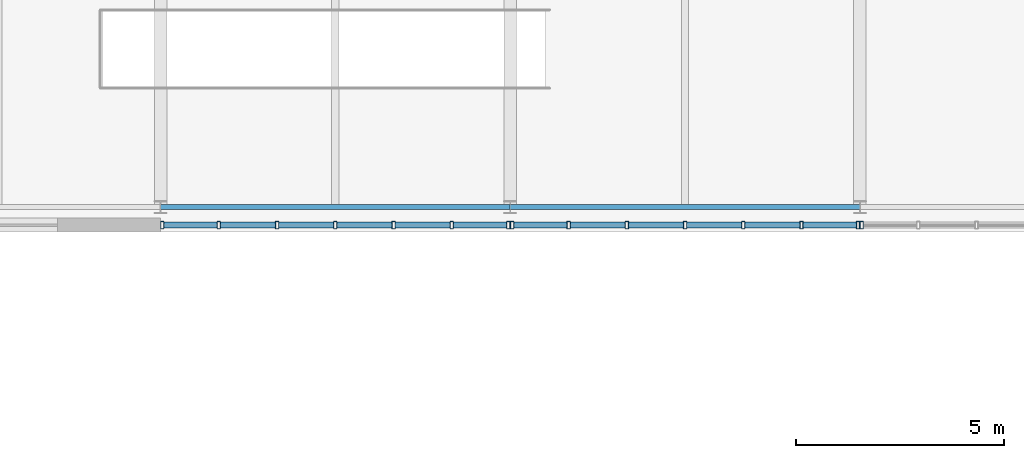
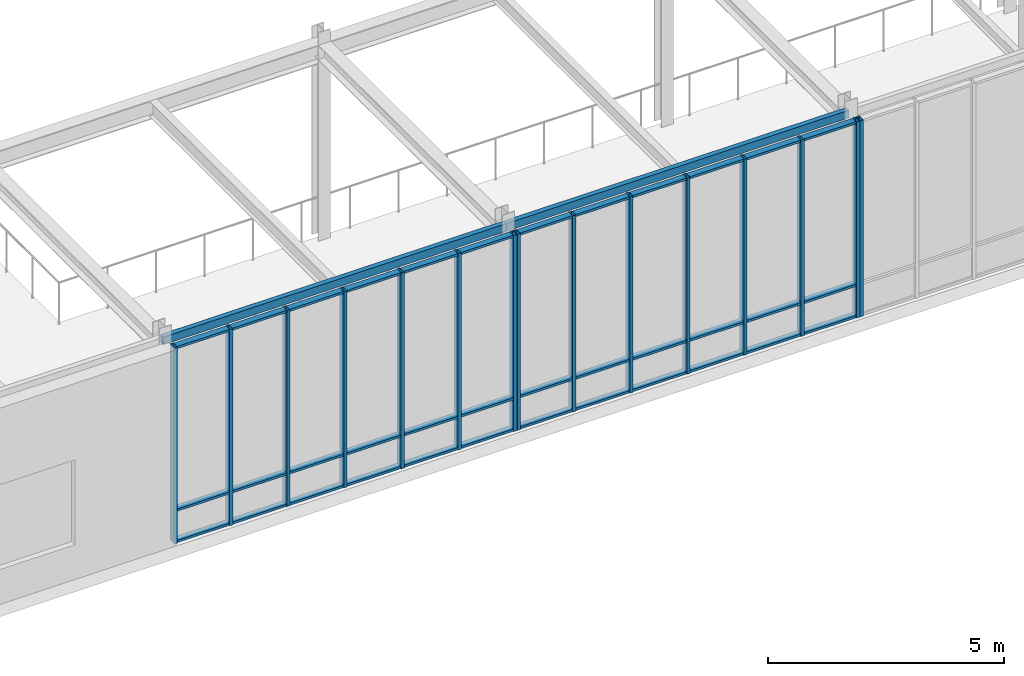
# One storey, part 83 of 139: 51 members, 2 beams, 3 elements without a shape of their own.
"""IFC4 building model written with IfcOpenShell, lengths in metres."""

import ifcopenshell
import ifcopenshell.guid

model = None  # the IFC model being written
_history = None  # IfcOwnerHistory: only IFC2X3 demands one
_inside = {}  # id of a spatial element -> (the spatial element, [elements in it])
_under = {}  # id of a project, library or spatial element -> (it, [spatial elements below it])
_declared = {}  # id of a project -> (the project, [libraries it declares])
_typed = {}  # id of a type object -> (the type object, [elements of that type])
_made_of = {}  # id of a material, layer set ... -> (it, [elements and type objects made of it])


def new_model(schema):
    """Start an empty IFC model of exactly this schema.

    Asked for "IFC4X3", IfcOpenShell would pick the latest addendum, in which some entities
    have other attributes; the version numbers below select the first issue.
    IFC2X3 requires an IfcOwnerHistory on every rooted entity: one is made here for all.
    """
    global model, _history
    if schema == "IFC4X3":
        model = ifcopenshell.file(schema_version=(4, 3, 0, 0))
    else:
        model = ifcopenshell.file(schema=schema)
    _inside.clear()
    _under.clear()
    _declared.clear()
    _typed.clear()
    _made_of.clear()
    _history = None
    if model.schema == "IFC2X3":
        org = make("IfcOrganization", Name="unknown")
        user = make(
            "IfcPersonAndOrganization",
            ThePerson=make("IfcPerson", FamilyName="unknown"),
            TheOrganization=org,
        )
        app = make(
            "IfcApplication",
            ApplicationDeveloper=org,
            Version="unknown",
            ApplicationFullName="unknown",
            ApplicationIdentifier="unknown",
        )
        _history = make(
            "IfcOwnerHistory",
            OwningUser=user,
            OwningApplication=app,
            ChangeAction="ADDED",
            CreationDate=0,
        )
    return model


def make(cls, **values):
    """One entity of the class cls with the attributes given. An attribute that is None is left unset."""
    return model.create_entity(
        cls, **{name: value for name, value in values.items() if value is not None}
    )


def rooted(cls, **values):
    """An entity with a GlobalId (a new one), such as an element, a storey or a relation."""
    return make(cls, GlobalId=ifcopenshell.guid.new(), OwnerHistory=_history, **values)


def si_unit(unit_type, name, prefix=None):
    """IfcSIUnit, for example si_unit("LENGTHUNIT", "METRE", prefix="MILLI")."""
    return make("IfcSIUnit", UnitType=unit_type, Prefix=prefix, Name=name)


def assignment(units):
    """IfcUnitAssignment: the units of a project."""
    return None if units is None else make("IfcUnitAssignment", Units=units)


def point(xyz):
    """IfcCartesianPoint."""
    return None if xyz is None else make("IfcCartesianPoint", Coordinates=xyz)


def direction(xyz):
    """IfcDirection."""
    return None if xyz is None else make("IfcDirection", DirectionRatios=xyz)


def frame(location, z_axis=None, x_axis=None):
    """IfcAxis2Placement3D, a coordinate frame: its origin and axes. An axis left out is left unset."""
    return make(
        "IfcAxis2Placement3D",
        Location=point(location),
        Axis=direction(z_axis),
        RefDirection=direction(x_axis),
    )


def frame_2d(location, x_axis=None):
    """IfcAxis2Placement2D, a coordinate frame in the plane: its origin and x axis."""
    return make(
        "IfcAxis2Placement2D", Location=point(location), RefDirection=direction(x_axis)
    )


def origin():
    """The frame at (0, 0, 0) with its axes left unset."""
    return frame((0.0, 0.0, 0.0))


def origin_2d():
    """The frame at (0, 0) in the plane with its x axis left unset."""
    return frame_2d((0.0, 0.0))


def place(relative_to, where):
    """IfcLocalPlacement: puts the frame where relative to a parent placement (None: the world)."""
    return make(
        "IfcLocalPlacement", PlacementRelTo=relative_to, RelativePlacement=where
    )


def context(
    kind, dimensions, precision=None, world=None, true_north=None, identifier=None
):
    """IfcGeometricRepresentationContext, for example the 3D "Model" context."""
    return make(
        "IfcGeometricRepresentationContext",
        ContextIdentifier=identifier,
        ContextType=kind,
        CoordinateSpaceDimension=dimensions,
        Precision=precision,
        WorldCoordinateSystem=world,
        TrueNorth=true_north,
    )


def subcontext(parent, identifier, kind, view, scale=None):
    """IfcGeometricRepresentationSubContext, for example "Body" below "Model"."""
    return make(
        "IfcGeometricRepresentationSubContext",
        ContextIdentifier=identifier,
        ContextType=kind,
        ParentContext=parent,
        TargetScale=scale,
        TargetView=view,
    )


def project(units=None, contexts=None):
    """IfcProject with its units and contexts."""
    return rooted(
        "IfcProject",
        Name="project",
        RepresentationContexts=contexts,
        UnitsInContext=assignment(units),
    )


def spatial(cls, under=None, at=None, **own):
    """A site, building, storey or space (cls), placed at a placement, below another one or the project."""
    s = rooted(cls, ObjectPlacement=at, **own)
    if under is not None:
        _under.setdefault(under.id(), (under, []))[1].append(s)
    return s


def profile(cls, at=None, kind="AREA", **sizes):
    """A parametric profile (cls). Its sizes go by their IFC names, for example OverallWidth=200.0."""
    return make(cls, ProfileType=kind, Position=at, **sizes)


def hollow_rectangle(**sizes):
    """IfcRectangleHollowProfileDef."""
    return profile("IfcRectangleHollowProfileDef", **sizes)


def extrude(swept, where, along, depth):
    """IfcExtrudedAreaSolid: the profile swept, set in the frame where, extruded along a direction by depth."""
    return make(
        "IfcExtrudedAreaSolid",
        SweptArea=swept,
        Position=where,
        ExtrudedDirection=direction(along),
        Depth=depth,
    )


def shape(context_of_items, identifier, shape_type, items):
    """IfcShapeRepresentation: the items that make up one representation, for example the "Body"."""
    return make(
        "IfcShapeRepresentation",
        ContextOfItems=context_of_items,
        RepresentationIdentifier=identifier,
        RepresentationType=shape_type,
        Items=items,
    )


def material(Name=None, Category=None):
    """IfcMaterial."""
    return make("IfcMaterial", Name=Name, Category=Category)


def layer(
    of_material, thickness, ventilated=None, Name=None, Category=None, Priority=None
):
    """IfcMaterialLayer: one layer of a wall or slab, of a material (None: an air gap)."""
    return make(
        "IfcMaterialLayer",
        Material=of_material,
        LayerThickness=thickness,
        IsVentilated=ventilated,
        Name=Name,
        Category=Category,
        Priority=Priority,
    )


def layer_set(layers, Name=None):
    """IfcMaterialLayerSet."""
    return make("IfcMaterialLayerSet", MaterialLayers=layers, LayerSetName=Name)


def material_profile(
    of_material, cross_section, Name=None, Category=None, Priority=None
):
    """IfcMaterialProfile: a cross section and its material."""
    return make(
        "IfcMaterialProfile",
        Name=Name,
        Material=of_material,
        Profile=cross_section,
        Priority=Priority,
        Category=Category,
    )


def profile_set(profiles, Name=None, composite=None):
    """IfcMaterialProfileSet."""
    return make(
        "IfcMaterialProfileSet",
        Name=Name,
        MaterialProfiles=profiles,
        CompositeProfile=composite,
    )


def made_of(thing, what):
    """Note that an element or type object is made of a material, layer set ...; save() writes the relation."""
    if what is not None:
        _made_of.setdefault(what.id(), (what, []))[1].append(thing)
    return thing


def type_object(cls, material=None, **own):
    """A type object (cls), such as IfcWallType, which elements share."""
    return made_of(rooted(cls, **own), material)


def element(
    cls,
    number,
    at=None,
    inside=None,
    cuts=None,
    type_object=None,
    material=None,
    context=None,
    identifier="Body",
    shape_type=None,
    held_by="IfcProductDefinitionShape",
    body=None,
    shapes=None,
    **own,
):
    """One element of the class cls, such as IfcWall. Its Tag is "e" and its number.

    at: its placement. inside: the storey or other place that contains it. cuts: it is an
    opening in that element (IfcRelVoidsElement). A single representation is given by context,
    identifier, shape_type and body (its items); several are given by shapes. held_by: the class
    of the entity that holds the representations. save() writes the other relations.
    """
    e = rooted(cls, Tag="e%d" % number, ObjectPlacement=at, **own)
    if body is not None:
        shapes = [shape(context, identifier, shape_type, body)]
    if shapes is not None:
        e.Representation = make(held_by, Representations=shapes)
    if inside is not None:
        _inside.setdefault(inside.id(), (inside, []))[1].append(e)
    if cuts is not None:
        rooted(
            "IfcRelVoidsElement", RelatingBuildingElement=cuts, RelatedOpeningElement=e
        )
    if type_object is not None:
        _typed.setdefault(type_object.id(), (type_object, []))[1].append(e)
    return made_of(e, material)


def aggregate(whole, parts):
    """IfcRelAggregates: a whole, such as a stair, and the parts it consists of."""
    return rooted("IfcRelAggregates", RelatingObject=whole, RelatedObjects=parts)


def save(model, path):
    """Write the relations noted so far, then the file.

    IfcRelAggregates (storeys below a building ...), IfcRelContainedInSpatialStructure (elements
    in a storey), IfcRelDefinesByType, IfcRelAssociatesMaterial and IfcRelDeclares: one each for
    every whole, place, type object, material and project.
    """
    for whole, parts in _under.values():
        aggregate(whole, parts)
    for where, things in _inside.values():
        rooted(
            "IfcRelContainedInSpatialStructure",
            RelatedElements=things,
            RelatingStructure=where,
        )
    for kind, things in _typed.values():
        rooted("IfcRelDefinesByType", RelatedObjects=things, RelatingType=kind)
    for what, things in _made_of.values():
        rooted("IfcRelAssociatesMaterial", RelatedObjects=things, RelatingMaterial=what)
    for by, libraries in _declared.values():
        rooted("IfcRelDeclares", RelatingContext=by, RelatedDefinitions=libraries)
    model.write(path)


model = new_model("IFC4")

# Units and contexts
model_context = context("Model", 3, precision=1e-05, world=origin(), true_north=direction((0.0, 1.0)))
body_context = subcontext(model_context, "Body", "Model", "MODEL_VIEW")
ifc_project = project(units=[si_unit("LENGTHUNIT", "METRE"), si_unit("AREAUNIT", "SQUARE_METRE"), si_unit("VOLUMEUNIT", "CUBIC_METRE"), si_unit("PLANEANGLEUNIT", "RADIAN"), si_unit("MASSUNIT", "GRAM", prefix="KILO")], contexts=[model_context])

# Site, building, storey
site_placement = place(None, origin())
site = spatial("IfcSite", under=ifc_project, at=site_placement, CompositionType="ELEMENT")
building_placement = place(site_placement, origin())
building = spatial("IfcBuilding", under=site, at=building_placement, Name="Zayran Congress Hotel", CompositionType="ELEMENT")
storey_placement = place(building_placement, frame((0.0, 0.0, 5.39990234375)))
storey = spatial("IfcBuildingStorey", under=building, at=storey_placement, Name="L01", CompositionType="ELEMENT", Elevation=5.39990234375)

# Beams
ifc_material_1 = material(Name="Steel S355", Category="steel")
ifc_material_profile_1 = material_profile(ifc_material_1, hollow_rectangle(XDim=0.1201171875, YDim=0.199951171875, WallThickness=0.008056640625, at=origin_2d()), Name="RHS 200x120x8")
ifc_profile_set_1 = profile_set([ifc_material_profile_1], Name="Steel S355")
beam_type = type_object("IfcBeamType", Name="TP-SP-02", PredefinedType="SPANDREL", material=ifc_profile_set_1)
beam_1_placement = place(storey_placement, frame((151.199951171875, 85.0, 4.97998046875), z_axis=(1.0, 0.0, 0.0), x_axis=(0.0, 1.0, 0.0)))
element("IfcBeam", 1, at=beam_1_placement, inside=storey, type_object=beam_type, Name="BM-V2-L01-0954", PredefinedType="SPANDREL", context=body_context, shape_type="SweptSolid", body=[
    extrude(hollow_rectangle(XDim=0.1201171875, YDim=0.199951171875, WallThickness=0.008056640625, at=origin_2d()), origin(), (0.0, 0.0, 1.0), 8.400146484375),
])
beam_2_placement = place(storey_placement, frame((159.60009765625, 85.0, 4.97998046875), z_axis=(1.0, 0.0, 0.0), x_axis=(0.0, 1.0, 0.0)))
element("IfcBeam", 2, at=beam_2_placement, inside=storey, type_object=beam_type, Name="BM-V2-L01-0955", PredefinedType="SPANDREL", context=body_context, shape_type="SweptSolid", body=[
    extrude(hollow_rectangle(XDim=0.1201171875, YDim=0.199951171875, WallThickness=0.008056640625, at=origin_2d()), origin(), (0.0, 0.0, 1.0), 8.39990234375),
])

# Curtain wall, members
ifc_material_2 = material(Name="Anodised aluminium and low-E insulated glass", Category="aluminium")
ifc_layer_1 = layer(ifc_material_2, 0.179931640625)
ifc_layer_set_1 = layer_set([ifc_layer_1], Name="Anodised aluminium and low-E insulated glass")
curtain_wall_type_1 = type_object("IfcCurtainWallType", Name="CW-V2S-L01-CW-V22-8395-5080", PredefinedType="USERDEFINED", material=ifc_layer_set_1)
curtain_wall_1_placement = place(storey_placement, origin())
curtain_wall_1 = element("IfcCurtainWall", 3, at=curtain_wall_1_placement, inside=storey, type_object=curtain_wall_type_1, Name="CW-V2S-L01-1", ObjectType="CURTAIN WALL", PredefinedType="USERDEFINED")
ifc_material_3 = material(Name="Anodised aluminium framing", Category="aluminium")
ifc_material_profile_2 = material_profile(ifc_material_3, hollow_rectangle(XDim=0.080078125, YDim=0.179931640625, WallThickness=0.0048828125, at=origin_2d()), Name="RHS 180x80x5")
ifc_profile_set_2 = profile_set([ifc_material_profile_2], Name="Anodised aluminium framing")
member_type_1 = type_object("IfcMemberType", Name="TP-CWM-01", PredefinedType="MULLION", material=ifc_profile_set_2)
member_1_placement = place(storey_placement, frame((151.239990234375, 84.570068359375, 0.0), z_axis=(0.0, 0.0, 1.0), x_axis=(1.0, 0.0, 0.0)))
member_1 = element("IfcMember", 4, at=member_1_placement, type_object=member_type_1, Name="CW-V2S-L01-1-M00", PredefinedType="MULLION", context=body_context, shape_type="SweptSolid", body=[
    extrude(hollow_rectangle(XDim=0.080078125, YDim=0.179931640625, WallThickness=0.0048828125, at=origin_2d()), origin(), (0.0, 0.0, 1.0), 5.080078125),
])
member_2_placement = place(storey_placement, frame((152.59912109375, 84.570068359375, 0.0), z_axis=(0.0, 0.0, 1.0), x_axis=(1.0, 0.0, 0.0)))
member_2 = element("IfcMember", 5, at=member_2_placement, type_object=member_type_1, Name="CW-V2S-L01-1-M01", PredefinedType="MULLION", context=body_context, shape_type="SweptSolid", body=[
    extrude(hollow_rectangle(XDim=0.080078125, YDim=0.179931640625, WallThickness=0.0048828125, at=origin_2d()), origin(), (0.0, 0.0, 1.0), 5.080078125),
])
member_3_placement = place(storey_placement, frame((153.998291015625, 84.570068359375, 0.0), z_axis=(0.0, 0.0, 1.0), x_axis=(1.0, 0.0, 0.0)))
member_3 = element("IfcMember", 6, at=member_3_placement, type_object=member_type_1, Name="CW-V2S-L01-1-M02", PredefinedType="MULLION", context=body_context, shape_type="SweptSolid", body=[
    extrude(hollow_rectangle(XDim=0.080078125, YDim=0.179931640625, WallThickness=0.0048828125, at=origin_2d()), origin(), (0.0, 0.0, 1.0), 5.080078125),
])
member_4_placement = place(storey_placement, frame((155.3974609375, 84.570068359375, 0.0), z_axis=(0.0, 0.0, 1.0), x_axis=(1.0, 0.0, 0.0)))
member_4 = element("IfcMember", 7, at=member_4_placement, type_object=member_type_1, Name="CW-V2S-L01-1-M03", PredefinedType="MULLION", context=body_context, shape_type="SweptSolid", body=[
    extrude(hollow_rectangle(XDim=0.080078125, YDim=0.179931640625, WallThickness=0.0048828125, at=origin_2d()), origin(), (0.0, 0.0, 1.0), 5.080078125),
])
member_5_placement = place(storey_placement, frame((156.796630859375, 84.570068359375, 0.0), z_axis=(0.0, 0.0, 1.0), x_axis=(1.0, 0.0, 0.0)))
member_5 = element("IfcMember", 8, at=member_5_placement, type_object=member_type_1, Name="CW-V2S-L01-1-M04", PredefinedType="MULLION", context=body_context, shape_type="SweptSolid", body=[
    extrude(hollow_rectangle(XDim=0.080078125, YDim=0.179931640625, WallThickness=0.0048828125, at=origin_2d()), origin(), (0.0, 0.0, 1.0), 5.080078125),
])
member_6_placement = place(storey_placement, frame((158.19580078125, 84.570068359375, 0.0), z_axis=(0.0, 0.0, 1.0), x_axis=(1.0, 0.0, 0.0)))
member_6 = element("IfcMember", 9, at=member_6_placement, type_object=member_type_1, Name="CW-V2S-L01-1-M05", PredefinedType="MULLION", context=body_context, shape_type="SweptSolid", body=[
    extrude(hollow_rectangle(XDim=0.080078125, YDim=0.179931640625, WallThickness=0.0048828125, at=origin_2d()), origin(), (0.0, 0.0, 1.0), 5.080078125),
])
member_7_placement = place(storey_placement, frame((159.554931640625, 84.570068359375, 0.0), z_axis=(0.0, 0.0, 1.0), x_axis=(1.0, 0.0, 0.0)))
member_7 = element("IfcMember", 10, at=member_7_placement, type_object=member_type_1, Name="CW-V2S-L01-1-M06", PredefinedType="MULLION", context=body_context, shape_type="SweptSolid", body=[
    extrude(hollow_rectangle(XDim=0.080078125, YDim=0.179931640625, WallThickness=0.0048828125, at=origin_2d()), origin(), (0.0, 0.0, 1.0), 5.080078125),
])

ifc_layer_2 = layer(ifc_material_2, 0.179931640625)
ifc_layer_set_2 = layer_set([ifc_layer_2], Name="Anodised aluminium and low-E insulated glass")
curtain_wall_type_2 = type_object("IfcCurtainWallType", Name="CW-V2S-L01-CW-V21-8390-5080", PredefinedType="USERDEFINED", material=ifc_layer_set_2)
curtain_wall_2_placement = place(storey_placement, origin())
curtain_wall_2 = element("IfcCurtainWall", 11, at=curtain_wall_2_placement, inside=storey, type_object=curtain_wall_type_2, Name="CW-V2S-L01-2", ObjectType="CURTAIN WALL", PredefinedType="USERDEFINED")
member_8_placement = place(storey_placement, frame((159.64501953125, 84.570068359375, 0.0), z_axis=(0.0, 0.0, 1.0), x_axis=(1.0, 0.0, 0.0)))
member_8 = element("IfcMember", 12, at=member_8_placement, type_object=member_type_1, Name="CW-V2S-L01-2-M00", PredefinedType="MULLION", context=body_context, shape_type="SweptSolid", body=[
    extrude(hollow_rectangle(XDim=0.080078125, YDim=0.179931640625, WallThickness=0.0048828125, at=origin_2d()), origin(), (0.0, 0.0, 1.0), 5.080078125),
])
member_9_placement = place(storey_placement, frame((161.00341796875, 84.570068359375, 0.0), z_axis=(0.0, 0.0, 1.0), x_axis=(1.0, 0.0, 0.0)))
member_9 = element("IfcMember", 13, at=member_9_placement, type_object=member_type_1, Name="CW-V2S-L01-2-M01", PredefinedType="MULLION", context=body_context, shape_type="SweptSolid", body=[
    extrude(hollow_rectangle(XDim=0.080078125, YDim=0.179931640625, WallThickness=0.0048828125, at=origin_2d()), origin(), (0.0, 0.0, 1.0), 5.080078125),
])
member_10_placement = place(storey_placement, frame((162.401611328125, 84.570068359375, 0.0), z_axis=(0.0, 0.0, 1.0), x_axis=(1.0, 0.0, 0.0)))
member_10 = element("IfcMember", 14, at=member_10_placement, type_object=member_type_1, Name="CW-V2S-L01-2-M02", PredefinedType="MULLION", context=body_context, shape_type="SweptSolid", body=[
    extrude(hollow_rectangle(XDim=0.080078125, YDim=0.179931640625, WallThickness=0.0048828125, at=origin_2d()), origin(), (0.0, 0.0, 1.0), 5.080078125),
])
member_11_placement = place(storey_placement, frame((163.800048828125, 84.570068359375, 0.0), z_axis=(0.0, 0.0, 1.0), x_axis=(1.0, 0.0, 0.0)))
member_11 = element("IfcMember", 15, at=member_11_placement, type_object=member_type_1, Name="CW-V2S-L01-2-M03", PredefinedType="MULLION", context=body_context, shape_type="SweptSolid", body=[
    extrude(hollow_rectangle(XDim=0.080078125, YDim=0.179931640625, WallThickness=0.0048828125, at=origin_2d()), origin(), (0.0, 0.0, 1.0), 5.080078125),
])
member_12_placement = place(storey_placement, frame((165.1982421875, 84.570068359375, 0.0), z_axis=(0.0, 0.0, 1.0), x_axis=(1.0, 0.0, 0.0)))
member_12 = element("IfcMember", 16, at=member_12_placement, type_object=member_type_1, Name="CW-V2S-L01-2-M04", PredefinedType="MULLION", context=body_context, shape_type="SweptSolid", body=[
    extrude(hollow_rectangle(XDim=0.080078125, YDim=0.179931640625, WallThickness=0.0048828125, at=origin_2d()), origin(), (0.0, 0.0, 1.0), 5.080078125),
])
member_13_placement = place(storey_placement, frame((166.5966796875, 84.570068359375, 0.0), z_axis=(0.0, 0.0, 1.0), x_axis=(1.0, 0.0, 0.0)))
member_13 = element("IfcMember", 17, at=member_13_placement, type_object=member_type_1, Name="CW-V2S-L01-2-M05", PredefinedType="MULLION", context=body_context, shape_type="SweptSolid", body=[
    extrude(hollow_rectangle(XDim=0.080078125, YDim=0.179931640625, WallThickness=0.0048828125, at=origin_2d()), origin(), (0.0, 0.0, 1.0), 5.080078125),
])
member_14_placement = place(storey_placement, frame((167.955078125, 84.570068359375, 0.0), z_axis=(0.0, 0.0, 1.0), x_axis=(1.0, 0.0, 0.0)))
member_14 = element("IfcMember", 18, at=member_14_placement, type_object=member_type_1, Name="CW-V2S-L01-2-M06", PredefinedType="MULLION", context=body_context, shape_type="SweptSolid", body=[
    extrude(hollow_rectangle(XDim=0.080078125, YDim=0.179931640625, WallThickness=0.0048828125, at=origin_2d()), origin(), (0.0, 0.0, 1.0), 5.080078125),
])

# Curtain wall, member
ifc_layer_3 = layer(ifc_material_2, 0.179931640625)
ifc_layer_set_3 = layer_set([ifc_layer_3], Name="Anodised aluminium and low-E insulated glass")
curtain_wall_type_3 = type_object("IfcCurtainWallType", Name="CW-V2S-L01-CW-V22-8390-5080", PredefinedType="USERDEFINED", material=ifc_layer_set_3)
curtain_wall_3_placement = place(storey_placement, origin())
curtain_wall_3 = element("IfcCurtainWall", 19, at=curtain_wall_3_placement, inside=storey, type_object=curtain_wall_type_3, Name="CW-V2S-L01-3", ObjectType="CURTAIN WALL", PredefinedType="USERDEFINED")
member_15_placement = place(storey_placement, frame((168.044921875, 84.570068359375, 0.0), z_axis=(0.0, 0.0, 1.0), x_axis=(1.0, 0.0, 0.0)))
member_15 = element("IfcMember", 20, at=member_15_placement, type_object=member_type_1, Name="CW-V2S-L01-3-M00", PredefinedType="MULLION", context=body_context, shape_type="SweptSolid", body=[
    extrude(hollow_rectangle(XDim=0.080078125, YDim=0.179931640625, WallThickness=0.0048828125, at=origin_2d()), origin(), (0.0, 0.0, 1.0), 5.080078125),
])
aggregate(curtain_wall_3, [member_15])

# Member
ifc_material_profile_3 = material_profile(ifc_material_3, hollow_rectangle(XDim=0.06005859375, YDim=0.14990234375, WallThickness=0.00390625, at=origin_2d()), Name="RHS 150x60x4")
ifc_profile_set_3 = profile_set([ifc_material_profile_3], Name="Anodised aluminium framing")
member_type_2 = type_object("IfcMemberType", Name="TP-CWT-01", PredefinedType="USERDEFINED", material=ifc_profile_set_3)
member_16_placement = place(storey_placement, frame((151.280029296875, 84.570068359375, 0.030029296875), z_axis=(1.0, 0.0, 0.0), x_axis=(0.0, 0.0, 1.0)))
member_16 = element("IfcMember", 21, at=member_16_placement, type_object=member_type_2, Name="CW-V2S-L01-1-T00-0", ObjectType="TRANSOM", PredefinedType="USERDEFINED", context=body_context, shape_type="SweptSolid", body=[
    extrude(hollow_rectangle(XDim=0.06005859375, YDim=0.14990234375, WallThickness=0.00390625, at=origin_2d()), origin(), (0.0, 0.0, 1.0), 1.279052734375),
])

member_17_placement = place(storey_placement, frame((151.280029296875, 84.570068359375, 0.840087890625), z_axis=(1.0, 0.0, 0.0), x_axis=(0.0, 0.0, 1.0)))
member_17 = element("IfcMember", 22, at=member_17_placement, type_object=member_type_2, Name="CW-V2S-L01-1-T00-1", ObjectType="TRANSOM", PredefinedType="USERDEFINED", context=body_context, shape_type="SweptSolid", body=[
    extrude(hollow_rectangle(XDim=0.06005859375, YDim=0.14990234375, WallThickness=0.00390625, at=origin_2d()), origin(), (0.0, 0.0, 1.0), 1.279052734375),
])

member_18_placement = place(storey_placement, frame((151.280029296875, 84.570068359375, 5.050048828125), z_axis=(1.0, 0.0, 0.0), x_axis=(0.0, 0.0, 1.0)))
member_18 = element("IfcMember", 23, at=member_18_placement, type_object=member_type_2, Name="CW-V2S-L01-1-T00-2", ObjectType="TRANSOM", PredefinedType="USERDEFINED", context=body_context, shape_type="SweptSolid", body=[
    extrude(hollow_rectangle(XDim=0.06005859375, YDim=0.14990234375, WallThickness=0.00390625, at=origin_2d()), origin(), (0.0, 0.0, 1.0), 1.279052734375),
])

member_19_placement = place(storey_placement, frame((152.63916015625, 84.570068359375, 0.030029296875), z_axis=(1.0, 0.0, 0.0), x_axis=(0.0, 0.0, 1.0)))
member_19 = element("IfcMember", 24, at=member_19_placement, type_object=member_type_2, Name="CW-V2S-L01-1-T01-0", ObjectType="TRANSOM", PredefinedType="USERDEFINED", context=body_context, shape_type="SweptSolid", body=[
    extrude(hollow_rectangle(XDim=0.06005859375, YDim=0.14990234375, WallThickness=0.00390625, at=origin_2d()), origin(), (0.0, 0.0, 1.0), 1.319091796875),
])

member_20_placement = place(storey_placement, frame((152.63916015625, 84.570068359375, 0.840087890625), z_axis=(1.0, 0.0, 0.0), x_axis=(0.0, 0.0, 1.0)))
member_20 = element("IfcMember", 25, at=member_20_placement, type_object=member_type_2, Name="CW-V2S-L01-1-T01-1", ObjectType="TRANSOM", PredefinedType="USERDEFINED", context=body_context, shape_type="SweptSolid", body=[
    extrude(hollow_rectangle(XDim=0.06005859375, YDim=0.14990234375, WallThickness=0.00390625, at=origin_2d()), origin(), (0.0, 0.0, 1.0), 1.319091796875),
])

member_21_placement = place(storey_placement, frame((152.63916015625, 84.570068359375, 5.050048828125), z_axis=(1.0, 0.0, 0.0), x_axis=(0.0, 0.0, 1.0)))
member_21 = element("IfcMember", 26, at=member_21_placement, type_object=member_type_2, Name="CW-V2S-L01-1-T01-2", ObjectType="TRANSOM", PredefinedType="USERDEFINED", context=body_context, shape_type="SweptSolid", body=[
    extrude(hollow_rectangle(XDim=0.06005859375, YDim=0.14990234375, WallThickness=0.00390625, at=origin_2d()), origin(), (0.0, 0.0, 1.0), 1.319091796875),
])

member_22_placement = place(storey_placement, frame((154.038330078125, 84.570068359375, 0.030029296875), z_axis=(1.0, 0.0, 0.0), x_axis=(0.0, 0.0, 1.0)))
member_22 = element("IfcMember", 27, at=member_22_placement, type_object=member_type_2, Name="CW-V2S-L01-1-T02-0", ObjectType="TRANSOM", PredefinedType="USERDEFINED", context=body_context, shape_type="SweptSolid", body=[
    extrude(hollow_rectangle(XDim=0.06005859375, YDim=0.14990234375, WallThickness=0.00390625, at=origin_2d()), origin(), (0.0, 0.0, 1.0), 1.319091796875),
])

member_23_placement = place(storey_placement, frame((154.038330078125, 84.570068359375, 0.840087890625), z_axis=(1.0, 0.0, 0.0), x_axis=(0.0, 0.0, 1.0)))
member_23 = element("IfcMember", 28, at=member_23_placement, type_object=member_type_2, Name="CW-V2S-L01-1-T02-1", ObjectType="TRANSOM", PredefinedType="USERDEFINED", context=body_context, shape_type="SweptSolid", body=[
    extrude(hollow_rectangle(XDim=0.06005859375, YDim=0.14990234375, WallThickness=0.00390625, at=origin_2d()), origin(), (0.0, 0.0, 1.0), 1.319091796875),
])

member_24_placement = place(storey_placement, frame((154.038330078125, 84.570068359375, 5.050048828125), z_axis=(1.0, 0.0, 0.0), x_axis=(0.0, 0.0, 1.0)))
member_24 = element("IfcMember", 29, at=member_24_placement, type_object=member_type_2, Name="CW-V2S-L01-1-T02-2", ObjectType="TRANSOM", PredefinedType="USERDEFINED", context=body_context, shape_type="SweptSolid", body=[
    extrude(hollow_rectangle(XDim=0.06005859375, YDim=0.14990234375, WallThickness=0.00390625, at=origin_2d()), origin(), (0.0, 0.0, 1.0), 1.319091796875),
])

member_25_placement = place(storey_placement, frame((155.4375, 84.570068359375, 0.030029296875), z_axis=(1.0, 0.0, 0.0), x_axis=(0.0, 0.0, 1.0)))
member_25 = element("IfcMember", 30, at=member_25_placement, type_object=member_type_2, Name="CW-V2S-L01-1-T03-0", ObjectType="TRANSOM", PredefinedType="USERDEFINED", context=body_context, shape_type="SweptSolid", body=[
    extrude(hollow_rectangle(XDim=0.06005859375, YDim=0.14990234375, WallThickness=0.00390625, at=origin_2d()), origin(), (0.0, 0.0, 1.0), 1.319091796875),
])

member_26_placement = place(storey_placement, frame((155.4375, 84.570068359375, 0.840087890625), z_axis=(1.0, 0.0, 0.0), x_axis=(0.0, 0.0, 1.0)))
member_26 = element("IfcMember", 31, at=member_26_placement, type_object=member_type_2, Name="CW-V2S-L01-1-T03-1", ObjectType="TRANSOM", PredefinedType="USERDEFINED", context=body_context, shape_type="SweptSolid", body=[
    extrude(hollow_rectangle(XDim=0.06005859375, YDim=0.14990234375, WallThickness=0.00390625, at=origin_2d()), origin(), (0.0, 0.0, 1.0), 1.319091796875),
])

member_27_placement = place(storey_placement, frame((155.4375, 84.570068359375, 5.050048828125), z_axis=(1.0, 0.0, 0.0), x_axis=(0.0, 0.0, 1.0)))
member_27 = element("IfcMember", 32, at=member_27_placement, type_object=member_type_2, Name="CW-V2S-L01-1-T03-2", ObjectType="TRANSOM", PredefinedType="USERDEFINED", context=body_context, shape_type="SweptSolid", body=[
    extrude(hollow_rectangle(XDim=0.06005859375, YDim=0.14990234375, WallThickness=0.00390625, at=origin_2d()), origin(), (0.0, 0.0, 1.0), 1.319091796875),
])

member_28_placement = place(storey_placement, frame((156.836669921875, 84.570068359375, 0.030029296875), z_axis=(1.0, 0.0, 0.0), x_axis=(0.0, 0.0, 1.0)))
member_28 = element("IfcMember", 33, at=member_28_placement, type_object=member_type_2, Name="CW-V2S-L01-1-T04-0", ObjectType="TRANSOM", PredefinedType="USERDEFINED", context=body_context, shape_type="SweptSolid", body=[
    extrude(hollow_rectangle(XDim=0.06005859375, YDim=0.14990234375, WallThickness=0.00390625, at=origin_2d()), origin(), (0.0, 0.0, 1.0), 1.319091796875),
])

member_29_placement = place(storey_placement, frame((156.836669921875, 84.570068359375, 0.840087890625), z_axis=(1.0, 0.0, 0.0), x_axis=(0.0, 0.0, 1.0)))
member_29 = element("IfcMember", 34, at=member_29_placement, type_object=member_type_2, Name="CW-V2S-L01-1-T04-1", ObjectType="TRANSOM", PredefinedType="USERDEFINED", context=body_context, shape_type="SweptSolid", body=[
    extrude(hollow_rectangle(XDim=0.06005859375, YDim=0.14990234375, WallThickness=0.00390625, at=origin_2d()), origin(), (0.0, 0.0, 1.0), 1.319091796875),
])

member_30_placement = place(storey_placement, frame((156.836669921875, 84.570068359375, 5.050048828125), z_axis=(1.0, 0.0, 0.0), x_axis=(0.0, 0.0, 1.0)))
member_30 = element("IfcMember", 35, at=member_30_placement, type_object=member_type_2, Name="CW-V2S-L01-1-T04-2", ObjectType="TRANSOM", PredefinedType="USERDEFINED", context=body_context, shape_type="SweptSolid", body=[
    extrude(hollow_rectangle(XDim=0.06005859375, YDim=0.14990234375, WallThickness=0.00390625, at=origin_2d()), origin(), (0.0, 0.0, 1.0), 1.319091796875),
])

member_31_placement = place(storey_placement, frame((158.23583984375, 84.570068359375, 0.030029296875), z_axis=(1.0, 0.0, 0.0), x_axis=(0.0, 0.0, 1.0)))
member_31 = element("IfcMember", 36, at=member_31_placement, type_object=member_type_2, Name="CW-V2S-L01-1-T05-0", ObjectType="TRANSOM", PredefinedType="USERDEFINED", context=body_context, shape_type="SweptSolid", body=[
    extrude(hollow_rectangle(XDim=0.06005859375, YDim=0.14990234375, WallThickness=0.00390625, at=origin_2d()), origin(), (0.0, 0.0, 1.0), 1.279052734375),
])

member_32_placement = place(storey_placement, frame((158.23583984375, 84.570068359375, 0.840087890625), z_axis=(1.0, 0.0, 0.0), x_axis=(0.0, 0.0, 1.0)))
member_32 = element("IfcMember", 37, at=member_32_placement, type_object=member_type_2, Name="CW-V2S-L01-1-T05-1", ObjectType="TRANSOM", PredefinedType="USERDEFINED", context=body_context, shape_type="SweptSolid", body=[
    extrude(hollow_rectangle(XDim=0.06005859375, YDim=0.14990234375, WallThickness=0.00390625, at=origin_2d()), origin(), (0.0, 0.0, 1.0), 1.279052734375),
])

member_33_placement = place(storey_placement, frame((158.23583984375, 84.570068359375, 5.050048828125), z_axis=(1.0, 0.0, 0.0), x_axis=(0.0, 0.0, 1.0)))
member_33 = element("IfcMember", 38, at=member_33_placement, type_object=member_type_2, Name="CW-V2S-L01-1-T05-2", ObjectType="TRANSOM", PredefinedType="USERDEFINED", context=body_context, shape_type="SweptSolid", body=[
    extrude(hollow_rectangle(XDim=0.06005859375, YDim=0.14990234375, WallThickness=0.00390625, at=origin_2d()), origin(), (0.0, 0.0, 1.0), 1.279052734375),
])

aggregate(curtain_wall_1, [member_1, member_2, member_3, member_4, member_5, member_6, member_7, member_16, member_17, member_18, member_19, member_20, member_21, member_22, member_23, member_24, member_25, member_26, member_27, member_28, member_29, member_30, member_31, member_32, member_33])

member_34_placement = place(storey_placement, frame((159.68505859375, 84.570068359375, 0.030029296875), z_axis=(1.0, 0.0, 0.0), x_axis=(0.0, 0.0, 1.0)))
member_34 = element("IfcMember", 39, at=member_34_placement, type_object=member_type_2, Name="CW-V2S-L01-2-T00-0", ObjectType="TRANSOM", PredefinedType="USERDEFINED", context=body_context, shape_type="SweptSolid", body=[
    extrude(hollow_rectangle(XDim=0.06005859375, YDim=0.14990234375, WallThickness=0.00390625, at=origin_2d()), origin(), (0.0, 0.0, 1.0), 1.2783203125),
])

member_35_placement = place(storey_placement, frame((159.68505859375, 84.570068359375, 0.840087890625), z_axis=(1.0, 0.0, 0.0), x_axis=(0.0, 0.0, 1.0)))
member_35 = element("IfcMember", 40, at=member_35_placement, type_object=member_type_2, Name="CW-V2S-L01-2-T00-1", ObjectType="TRANSOM", PredefinedType="USERDEFINED", context=body_context, shape_type="SweptSolid", body=[
    extrude(hollow_rectangle(XDim=0.06005859375, YDim=0.14990234375, WallThickness=0.00390625, at=origin_2d()), origin(), (0.0, 0.0, 1.0), 1.2783203125),
])

member_36_placement = place(storey_placement, frame((159.68505859375, 84.570068359375, 5.050048828125), z_axis=(1.0, 0.0, 0.0), x_axis=(0.0, 0.0, 1.0)))
member_36 = element("IfcMember", 41, at=member_36_placement, type_object=member_type_2, Name="CW-V2S-L01-2-T00-2", ObjectType="TRANSOM", PredefinedType="USERDEFINED", context=body_context, shape_type="SweptSolid", body=[
    extrude(hollow_rectangle(XDim=0.06005859375, YDim=0.14990234375, WallThickness=0.00390625, at=origin_2d()), origin(), (0.0, 0.0, 1.0), 1.2783203125),
])

member_37_placement = place(storey_placement, frame((161.043212890625, 84.570068359375, 0.030029296875), z_axis=(1.0, 0.0, 0.0), x_axis=(0.0, 0.0, 1.0)))
member_37 = element("IfcMember", 42, at=member_37_placement, type_object=member_type_2, Name="CW-V2S-L01-2-T01-0", ObjectType="TRANSOM", PredefinedType="USERDEFINED", context=body_context, shape_type="SweptSolid", body=[
    extrude(hollow_rectangle(XDim=0.06005859375, YDim=0.14990234375, WallThickness=0.00390625, at=origin_2d()), origin(), (0.0, 0.0, 1.0), 1.318603515625),
])

member_38_placement = place(storey_placement, frame((161.043212890625, 84.570068359375, 0.840087890625), z_axis=(1.0, 0.0, 0.0), x_axis=(0.0, 0.0, 1.0)))
member_38 = element("IfcMember", 43, at=member_38_placement, type_object=member_type_2, Name="CW-V2S-L01-2-T01-1", ObjectType="TRANSOM", PredefinedType="USERDEFINED", context=body_context, shape_type="SweptSolid", body=[
    extrude(hollow_rectangle(XDim=0.06005859375, YDim=0.14990234375, WallThickness=0.00390625, at=origin_2d()), origin(), (0.0, 0.0, 1.0), 1.318603515625),
])

member_39_placement = place(storey_placement, frame((161.043212890625, 84.570068359375, 5.050048828125), z_axis=(1.0, 0.0, 0.0), x_axis=(0.0, 0.0, 1.0)))
member_39 = element("IfcMember", 44, at=member_39_placement, type_object=member_type_2, Name="CW-V2S-L01-2-T01-2", ObjectType="TRANSOM", PredefinedType="USERDEFINED", context=body_context, shape_type="SweptSolid", body=[
    extrude(hollow_rectangle(XDim=0.06005859375, YDim=0.14990234375, WallThickness=0.00390625, at=origin_2d()), origin(), (0.0, 0.0, 1.0), 1.318603515625),
])

member_40_placement = place(storey_placement, frame((162.441650390625, 84.570068359375, 0.030029296875), z_axis=(1.0, 0.0, 0.0), x_axis=(0.0, 0.0, 1.0)))
member_40 = element("IfcMember", 45, at=member_40_placement, type_object=member_type_2, Name="CW-V2S-L01-2-T02-0", ObjectType="TRANSOM", PredefinedType="USERDEFINED", context=body_context, shape_type="SweptSolid", body=[
    extrude(hollow_rectangle(XDim=0.06005859375, YDim=0.14990234375, WallThickness=0.00390625, at=origin_2d()), origin(), (0.0, 0.0, 1.0), 1.318359375),
])

member_41_placement = place(storey_placement, frame((162.441650390625, 84.570068359375, 0.840087890625), z_axis=(1.0, 0.0, 0.0), x_axis=(0.0, 0.0, 1.0)))
member_41 = element("IfcMember", 46, at=member_41_placement, type_object=member_type_2, Name="CW-V2S-L01-2-T02-1", ObjectType="TRANSOM", PredefinedType="USERDEFINED", context=body_context, shape_type="SweptSolid", body=[
    extrude(hollow_rectangle(XDim=0.06005859375, YDim=0.14990234375, WallThickness=0.00390625, at=origin_2d()), origin(), (0.0, 0.0, 1.0), 1.318359375),
])

member_42_placement = place(storey_placement, frame((162.441650390625, 84.570068359375, 5.050048828125), z_axis=(1.0, 0.0, 0.0), x_axis=(0.0, 0.0, 1.0)))
member_42 = element("IfcMember", 47, at=member_42_placement, type_object=member_type_2, Name="CW-V2S-L01-2-T02-2", ObjectType="TRANSOM", PredefinedType="USERDEFINED", context=body_context, shape_type="SweptSolid", body=[
    extrude(hollow_rectangle(XDim=0.06005859375, YDim=0.14990234375, WallThickness=0.00390625, at=origin_2d()), origin(), (0.0, 0.0, 1.0), 1.318359375),
])

member_43_placement = place(storey_placement, frame((163.840087890625, 84.570068359375, 0.030029296875), z_axis=(1.0, 0.0, 0.0), x_axis=(0.0, 0.0, 1.0)))
member_43 = element("IfcMember", 48, at=member_43_placement, type_object=member_type_2, Name="CW-V2S-L01-2-T03-0", ObjectType="TRANSOM", PredefinedType="USERDEFINED", context=body_context, shape_type="SweptSolid", body=[
    extrude(hollow_rectangle(XDim=0.06005859375, YDim=0.14990234375, WallThickness=0.00390625, at=origin_2d()), origin(), (0.0, 0.0, 1.0), 1.318115234375),
])

member_44_placement = place(storey_placement, frame((163.840087890625, 84.570068359375, 0.840087890625), z_axis=(1.0, 0.0, 0.0), x_axis=(0.0, 0.0, 1.0)))
member_44 = element("IfcMember", 49, at=member_44_placement, type_object=member_type_2, Name="CW-V2S-L01-2-T03-1", ObjectType="TRANSOM", PredefinedType="USERDEFINED", context=body_context, shape_type="SweptSolid", body=[
    extrude(hollow_rectangle(XDim=0.06005859375, YDim=0.14990234375, WallThickness=0.00390625, at=origin_2d()), origin(), (0.0, 0.0, 1.0), 1.318115234375),
])

member_45_placement = place(storey_placement, frame((163.840087890625, 84.570068359375, 5.050048828125), z_axis=(1.0, 0.0, 0.0), x_axis=(0.0, 0.0, 1.0)))
member_45 = element("IfcMember", 50, at=member_45_placement, type_object=member_type_2, Name="CW-V2S-L01-2-T03-2", ObjectType="TRANSOM", PredefinedType="USERDEFINED", context=body_context, shape_type="SweptSolid", body=[
    extrude(hollow_rectangle(XDim=0.06005859375, YDim=0.14990234375, WallThickness=0.00390625, at=origin_2d()), origin(), (0.0, 0.0, 1.0), 1.318115234375),
])

member_46_placement = place(storey_placement, frame((165.23828125, 84.570068359375, 0.030029296875), z_axis=(1.0, 0.0, 0.0), x_axis=(0.0, 0.0, 1.0)))
member_46 = element("IfcMember", 51, at=member_46_placement, type_object=member_type_2, Name="CW-V2S-L01-2-T04-0", ObjectType="TRANSOM", PredefinedType="USERDEFINED", context=body_context, shape_type="SweptSolid", body=[
    extrude(hollow_rectangle(XDim=0.06005859375, YDim=0.14990234375, WallThickness=0.00390625, at=origin_2d()), origin(), (0.0, 0.0, 1.0), 1.318359375),
])

member_47_placement = place(storey_placement, frame((165.23828125, 84.570068359375, 0.840087890625), z_axis=(1.0, 0.0, 0.0), x_axis=(0.0, 0.0, 1.0)))
member_47 = element("IfcMember", 52, at=member_47_placement, type_object=member_type_2, Name="CW-V2S-L01-2-T04-1", ObjectType="TRANSOM", PredefinedType="USERDEFINED", context=body_context, shape_type="SweptSolid", body=[
    extrude(hollow_rectangle(XDim=0.06005859375, YDim=0.14990234375, WallThickness=0.00390625, at=origin_2d()), origin(), (0.0, 0.0, 1.0), 1.318359375),
])

member_48_placement = place(storey_placement, frame((165.23828125, 84.570068359375, 5.050048828125), z_axis=(1.0, 0.0, 0.0), x_axis=(0.0, 0.0, 1.0)))
member_48 = element("IfcMember", 53, at=member_48_placement, type_object=member_type_2, Name="CW-V2S-L01-2-T04-2", ObjectType="TRANSOM", PredefinedType="USERDEFINED", context=body_context, shape_type="SweptSolid", body=[
    extrude(hollow_rectangle(XDim=0.06005859375, YDim=0.14990234375, WallThickness=0.00390625, at=origin_2d()), origin(), (0.0, 0.0, 1.0), 1.318359375),
])

member_49_placement = place(storey_placement, frame((166.63671875, 84.570068359375, 0.030029296875), z_axis=(1.0, 0.0, 0.0), x_axis=(0.0, 0.0, 1.0)))
member_49 = element("IfcMember", 54, at=member_49_placement, type_object=member_type_2, Name="CW-V2S-L01-2-T05-0", ObjectType="TRANSOM", PredefinedType="USERDEFINED", context=body_context, shape_type="SweptSolid", body=[
    extrude(hollow_rectangle(XDim=0.06005859375, YDim=0.14990234375, WallThickness=0.00390625, at=origin_2d()), origin(), (0.0, 0.0, 1.0), 1.2783203125),
])

member_50_placement = place(storey_placement, frame((166.63671875, 84.570068359375, 0.840087890625), z_axis=(1.0, 0.0, 0.0), x_axis=(0.0, 0.0, 1.0)))
member_50 = element("IfcMember", 55, at=member_50_placement, type_object=member_type_2, Name="CW-V2S-L01-2-T05-1", ObjectType="TRANSOM", PredefinedType="USERDEFINED", context=body_context, shape_type="SweptSolid", body=[
    extrude(hollow_rectangle(XDim=0.06005859375, YDim=0.14990234375, WallThickness=0.00390625, at=origin_2d()), origin(), (0.0, 0.0, 1.0), 1.2783203125),
])

member_51_placement = place(storey_placement, frame((166.63671875, 84.570068359375, 5.050048828125), z_axis=(1.0, 0.0, 0.0), x_axis=(0.0, 0.0, 1.0)))
member_51 = element("IfcMember", 56, at=member_51_placement, type_object=member_type_2, Name="CW-V2S-L01-2-T05-2", ObjectType="TRANSOM", PredefinedType="USERDEFINED", context=body_context, shape_type="SweptSolid", body=[
    extrude(hollow_rectangle(XDim=0.06005859375, YDim=0.14990234375, WallThickness=0.00390625, at=origin_2d()), origin(), (0.0, 0.0, 1.0), 1.2783203125),
])

aggregate(curtain_wall_2, [member_8, member_9, member_10, member_11, member_12, member_13, member_14, member_34, member_35, member_36, member_37, member_38, member_39, member_40, member_41, member_42, member_43, member_44, member_45, member_46, member_47, member_48, member_49, member_50, member_51])

save(model, "model.ifc")
